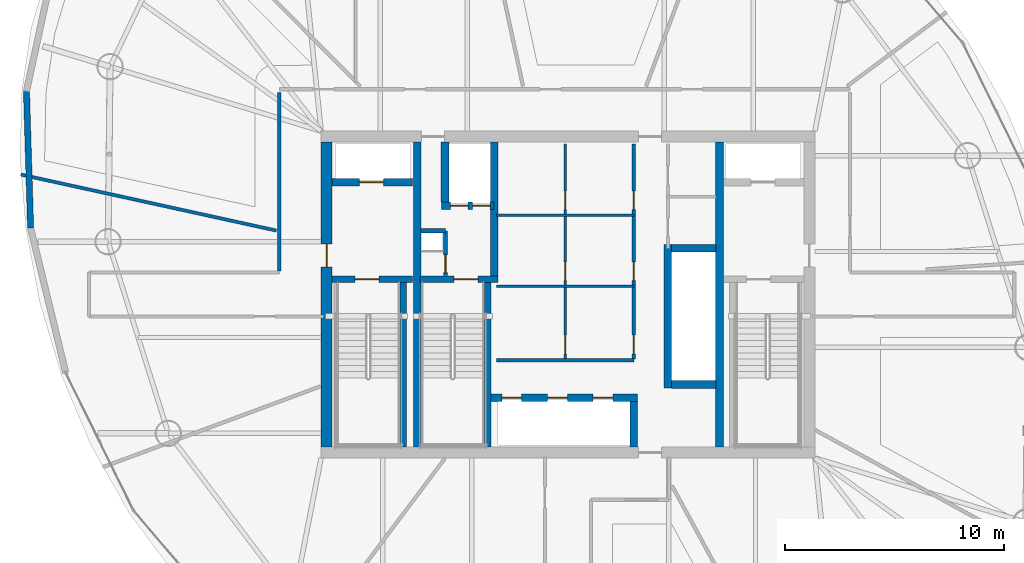
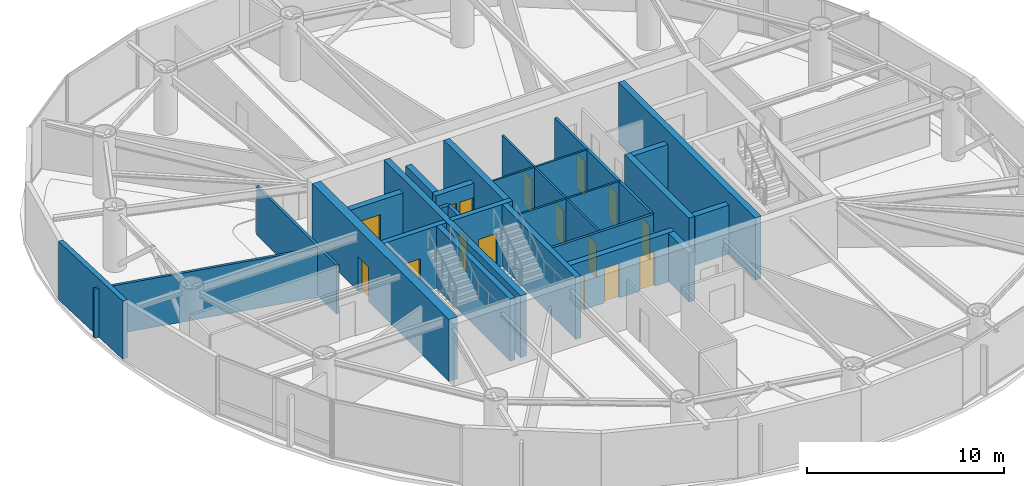
# One storey, part 14 of 19: 26 walls, 16 doors, 16 openings.
"""IFC4 building model written with IfcOpenShell, lengths in metres."""

from ifc_helpers import new_model, si_unit, direction, frame, frame_2d, origin, place, context, subcontext, project, spatial, rectangle, extrude, material, layer, layer_set, type_object, element, fill, save


model = new_model("IFC4")

# Units and contexts
model_context = context("Model", 3, precision=1e-05, world=origin(), true_north=direction((0.0, 1.0)))
body_context = subcontext(model_context, "Body", "Model", "MODEL_VIEW")
ifc_project = project(units=[si_unit("LENGTHUNIT", "METRE"), si_unit("AREAUNIT", "SQUARE_METRE"), si_unit("VOLUMEUNIT", "CUBIC_METRE"), si_unit("PLANEANGLEUNIT", "RADIAN"), si_unit("MASSUNIT", "GRAM", prefix="KILO")], contexts=[model_context])

# Site, building, storey
site_placement = place(None, origin())
site = spatial("IfcSite", under=ifc_project, at=site_placement, CompositionType="ELEMENT")
building_placement = place(site_placement, origin())
building = spatial("IfcBuilding", under=site, at=building_placement, Name="Bramvorn Convention Spire", CompositionType="ELEMENT")
storey_placement = place(building_placement, frame((0.0, 0.0, 198.14990234375)))
storey = spatial("IfcBuildingStorey", under=building, at=storey_placement, Name="L50", CompositionType="ELEMENT", Elevation=198.14990234375)

# Wall, opening, door
ifc_material_1 = material(Name="Concrete C50/60", Category="concrete")
ifc_layer_1 = layer(ifc_material_1, 0.5)
ifc_layer_set_1 = layer_set([ifc_layer_1], Name="Concrete C50/60 - WL-CORE-500")
wall_type_1 = type_object("IfcWallType", Name="WL-CORE-500", PredefinedType="SHEAR", material=ifc_layer_set_1)
wall_1_placement = place(storey_placement, frame((27.0, 19.050048828125, 0.0), z_axis=(0.0, 0.0, 1.0), x_axis=(0.0, 1.0, 0.0)))
wall_1 = element("IfcWall", 1, at=wall_1_placement, inside=storey, type_object=wall_type_1, Name="L50 West RC core shear wall", PredefinedType="SHEAR", context=body_context, shape_type="SweptSolid", body=[
    extrude(rectangle(XDim=13.89990234375, YDim=0.5, at=frame_2d((6.949951171875, 0.0))), origin(), (0.0, 0.0, 1.0), 3.85009765625),
])
opening_1_placement = place(wall_1_placement, frame((8.199951171875, 0.0, 0.0)))
opening_1 = element("IfcOpeningElement", 2, at=opening_1_placement, cuts=wall_1, Name="Opening DL-105", PredefinedType="OPENING", context=body_context, shape_type="SweptSolid", body=[
    extrude(rectangle(XDim=1.050048828125, YDim=2.14990234375, at=frame_2d((0.52490234375, 1.074951171875))), frame((0.0, 0.260009765625, 0.0), z_axis=(0.0, -1.0, 0.0), x_axis=(1.0, 0.0, 0.0)), (0.0, 0.0, 1.0), 0.52001953125),
])
ifc_material_2 = material(Name="Smoke-Sealed Fire Lobby Timber-Core Door", Category="wood")
door_type_1 = type_object("IfcDoorType", Name="DR-LOBBY-1050", OperationType="NOTDEFINED", PredefinedType="DOOR", material=ifc_material_2)
door_1_placement = place(opening_1_placement, origin())
door_1 = element("IfcDoor", 3, at=door_1_placement, inside=storey, type_object=door_type_1, Name="L50 West Firefighting Lobby corridor door", OperationType="SINGLE_SWING_RIGHT", OverallHeight=2.14990234375, OverallWidth=1.050048828125, PredefinedType="DOOR", context=body_context, shape_type="SweptSolid", body=[
    extrude(rectangle(XDim=1.050048828125, YDim=2.14990234375, at=frame_2d((0.52490234375, 1.074951171875))), frame((0.0, 0.02490234375, 0.0), z_axis=(0.0, -1.0, 0.0), x_axis=(1.0, 0.0, 0.0)), (0.0, 0.0, 1.0), 0.050048828125),
])
fill(opening_1, door_1)

# Walls
ifc_layer_2 = layer(ifc_material_1, 0.35009765625)
ifc_layer_set_2 = layer_set([ifc_layer_2], Name="Concrete C50/60 - WL-CORE-INT-350")
wall_type_2 = type_object("IfcWallType", Name="WL-CORE-INT-350", PredefinedType="SHEAR", material=ifc_layer_set_2)
for number, where, z_axis, x_axis, name in (
    (4, (31.1298828125, 19.050048828125, 0.0), (0.0, 0.0, 1.0), (0.0, 1.0, 0.0), "L50 West internal core shear web"),
    (5, (44.89990234375, 19.050048828125, 0.0), (0.0, 0.0, 1.0), (0.0, 1.0, 0.0), "L50 East internal core shear web"),
):
    element("IfcWall", number, at=place(storey_placement, frame(where, z_axis=z_axis, x_axis=x_axis)), inside=storey, type_object=wall_type_2, Name=name, PredefinedType="SHEAR", context=body_context, shape_type="SweptSolid", body=[
        extrude(rectangle(XDim=13.89990234375, YDim=0.35009765625, at=frame_2d((6.949951171875, 0.0))), origin(), (0.0, 0.0, 1.0), 3.85009765625),
    ])

# Wall, opening, door
wall_2_placement = place(storey_placement, frame((27.25, 31.1201171875, 0.0), z_axis=(0.0, 0.0, 1.0), x_axis=(1.0, 0.0, 0.0)))
wall_2 = element("IfcWall", 6, at=wall_2_placement, inside=storey, type_object=wall_type_2, Name="L50 FE1 shaft front wall", PredefinedType="SHEAR", context=body_context, shape_type="SweptSolid", body=[
    extrude(rectangle(XDim=3.669921875, YDim=0.35009765625, at=frame_2d((1.8349609375, 0.0))), origin(), (0.0, 0.0, 1.0), 3.03515625),
])
opening_2_placement = place(wall_2_placement, frame((1.25, 0.0, 0.0)))
opening_2 = element("IfcOpeningElement", 7, at=opening_2_placement, cuts=wall_2, Name="Opening LD-110", PredefinedType="OPENING", context=body_context, shape_type="SweptSolid", body=[
    extrude(rectangle(XDim=1.10009765625, YDim=2.14990234375, at=frame_2d((0.550048828125, 1.074951171875))), frame((0.0, 0.18505859375, 0.0), z_axis=(0.0, -1.0, 0.0), x_axis=(1.0, 0.0, 0.0)), (0.0, 0.0, 1.0), 0.3701171875),
])
ifc_material_3 = material(Name="Firefighting & Service Lift Sliding Landing Door", Category="steel")
door_type_2 = type_object("IfcDoorType", Name="DR-LIFT-LD-1100", OperationType="NOTDEFINED", PredefinedType="DOOR", material=ifc_material_3)
door_2_placement = place(opening_2_placement, origin())
door_2 = element("IfcDoor", 8, at=door_2_placement, inside=storey, type_object=door_type_2, Name="L50 Lift FE1 Sliding Landing Door", OperationType="SLIDING_TO_LEFT", OverallHeight=2.14990234375, OverallWidth=1.10009765625, PredefinedType="DOOR", context=body_context, shape_type="SweptSolid", body=[
    extrude(rectangle(XDim=1.10009765625, YDim=2.14990234375, at=frame_2d((0.550048828125, 1.074951171875))), frame((0.0, 0.02490234375, 0.0), z_axis=(0.0, -1.0, 0.0), x_axis=(1.0, 0.0, 0.0)), (0.0, 0.0, 1.0), 0.050048828125),
])
fill(opening_2, door_2)

# Wall
wall_3_placement = place(storey_placement, frame((34.639892578125, 26.68994140625, 0.0), z_axis=(0.0, 0.0, 1.0), x_axis=(0.0, 1.0, 0.0)))
element("IfcWall", 9, at=wall_3_placement, inside=storey, type_object=wall_type_2, Name="L50 SV east core shaft wall", PredefinedType="SHEAR", context=body_context, shape_type="SweptSolid", body=[
    extrude(rectangle(XDim=6.260009765625, YDim=0.35009765625, at=frame_2d((3.1298828125, 0.0))), origin(), (0.0, 0.0, 1.0), 3.85009765625),
])

# Wall, openings, doors
wall_4_placement = place(storey_placement, frame((32.22998046875, 30.050048828125, 0.0), z_axis=(0.0, 0.0, 1.0), x_axis=(1.0, 0.0, 0.0)))
wall_4 = element("IfcWall", 10, at=wall_4_placement, inside=storey, type_object=wall_type_2, Name="L50 SV1/SV2 shaft front wall", PredefinedType="SHEAR", context=body_context, shape_type="SweptSolid", body=[
    extrude(rectangle(XDim=2.409912109375, YDim=0.35009765625, at=frame_2d((1.205078125, 0.0))), origin(), (0.0, 0.0, 1.0), 3.03515625),
])
opening_3_placement = place(wall_4_placement, frame((0.419921875, 0.0, 0.0)))
opening_3 = element("IfcOpeningElement", 11, at=opening_3_placement, cuts=wall_4, Name="Opening LD-080", PredefinedType="OPENING", context=body_context, shape_type="SweptSolid", body=[
    extrude(rectangle(XDim=0.800048828125, YDim=2.14990234375, at=frame_2d((0.39990234375, 1.074951171875))), frame((0.0, 0.18505859375, 0.0), z_axis=(0.0, -1.0, 0.0), x_axis=(1.0, 0.0, 0.0)), (0.0, 0.0, 1.0), 0.3701171875),
])
opening_4_placement = place(wall_4_placement, frame((1.419921875, 0.0, 0.0)))
opening_4 = element("IfcOpeningElement", 12, at=opening_4_placement, cuts=wall_4, Name="Opening LD-080", PredefinedType="OPENING", context=body_context, shape_type="SweptSolid", body=[
    extrude(rectangle(XDim=0.800048828125, YDim=2.14990234375, at=frame_2d((0.39990234375, 1.074951171875))), frame((0.0, 0.18505859375, 0.0), z_axis=(0.0, -1.0, 0.0), x_axis=(1.0, 0.0, 0.0)), (0.0, 0.0, 1.0), 0.3701171875),
])
ifc_material_4 = material(Name="Service Lift Bi-Parting Landing Door", Category="steel")
door_type_3 = type_object("IfcDoorType", Name="DR-LIFT-LD-800", OperationType="NOTDEFINED", PredefinedType="DOOR", material=ifc_material_4)
door_3_placement = place(opening_3_placement, origin())
door_3 = element("IfcDoor", 13, at=door_3_placement, inside=storey, type_object=door_type_3, Name="L50 Lift SV1 Sliding Landing Door", OperationType="SLIDING_TO_LEFT", OverallHeight=2.14990234375, OverallWidth=0.800048828125, PredefinedType="DOOR", context=body_context, shape_type="SweptSolid", body=[
    extrude(rectangle(XDim=0.800048828125, YDim=2.14990234375, at=frame_2d((0.39990234375, 1.074951171875))), frame((0.0, 0.02490234375, 0.0), z_axis=(0.0, -1.0, 0.0), x_axis=(1.0, 0.0, 0.0)), (0.0, 0.0, 1.0), 0.050048828125),
])
fill(opening_3, door_3)
door_4_placement = place(opening_4_placement, origin())
door_4 = element("IfcDoor", 14, at=door_4_placement, inside=storey, type_object=door_type_3, Name="L50 Lift SV2 Sliding Landing Door", OperationType="SLIDING_TO_LEFT", OverallHeight=2.14990234375, OverallWidth=0.800048828125, PredefinedType="DOOR", context=body_context, shape_type="SweptSolid", body=[
    extrude(rectangle(XDim=0.800048828125, YDim=2.14990234375, at=frame_2d((0.39990234375, 1.074951171875))), frame((0.0, 0.02490234375, 0.0), z_axis=(0.0, -1.0, 0.0), x_axis=(1.0, 0.0, 0.0)), (0.0, 0.0, 1.0), 0.050048828125),
])
fill(opening_4, door_4)

# Walls
wall_5_placement = place(storey_placement, frame((32.39990234375, 30.219970703125, 0.0), z_axis=(0.0, 0.0, 1.0), x_axis=(0.0, 1.0, 0.0)))
element("IfcWall", 15, at=wall_5_placement, inside=storey, type_object=wall_type_2, Name="L50 SV1 west hoistway wall", PredefinedType="SHEAR", context=body_context, shape_type="SweptSolid", body=[
    extrude(rectangle(XDim=2.72998046875, YDim=0.35009765625, at=frame_2d((1.364990234375, 0.0))), origin(), (0.0, 0.0, 1.0), 3.03515625),
])
wall_6_placement = place(storey_placement, frame((42.550048828125, 21.72998046875, 0.0), z_axis=(0.0, 0.0, 1.0), x_axis=(0.0, 1.0, 0.0)))
element("IfcWall", 16, at=wall_6_placement, inside=storey, type_object=wall_type_2, Name="L50 High-rise lift bank west wall", PredefinedType="SHEAR", context=body_context, shape_type="SweptSolid", body=[
    extrude(rectangle(XDim=6.5400390625, YDim=0.35009765625, at=frame_2d((3.27001953125, 0.0))), origin(), (0.0, 0.0, 1.0), 3.03515625),
])
for number, where, z_axis, x_axis, name in (
    (17, (42.719970703125, 21.89990234375, 0.0), (0.0, 0.0, 1.0), (1.0, 0.0, 0.0), "L50 High-rise lift bank south wall"),
    (18, (42.719970703125, 28.10009765625, 0.0), (0.0, 0.0, 1.0), (1.0, 0.0, 0.0), "L50 High-rise lift bank north wall"),
):
    element("IfcWall", number, at=place(storey_placement, frame(where, z_axis=z_axis, x_axis=x_axis)), inside=storey, type_object=wall_type_2, Name=name, PredefinedType="SHEAR", context=body_context, shape_type="SweptSolid", body=[
        extrude(rectangle(XDim=2.030029296875, YDim=0.35009765625, at=frame_2d((1.01513671875, 0.0))), origin(), (0.0, 0.0, 1.0), 3.03515625),
    ])

# Wall, openings, doors
wall_7_placement = place(storey_placement, frame((34.489990234375, 21.300048828125, 0.0), z_axis=(0.0, 0.0, 1.0), x_axis=(1.0, 0.0, 0.0)))
wall_7 = element("IfcWall", 19, at=wall_7_placement, inside=storey, type_object=wall_type_2, Name="L50 Mid-rise bank north landing wall", PredefinedType="SHEAR", context=body_context, shape_type="SweptSolid", body=[
    extrude(rectangle(XDim=6.679931640625, YDim=0.35009765625, at=frame_2d((3.33984375, 0.0))), origin(), (0.0, 0.0, 1.0), 3.03515625),
])
opening_5_placement = place(wall_7_placement, frame((0.5, 0.0, 0.0)))
opening_5 = element("IfcOpeningElement", 20, at=opening_5_placement, cuts=wall_7, Name="Opening LD-090", PredefinedType="OPENING", context=body_context, shape_type="SweptSolid", body=[
    extrude(rectangle(XDim=0.89990234375, YDim=2.14990234375, at=frame_2d((0.449951171875, 1.074951171875))), frame((0.0, 0.18505859375, 0.0), z_axis=(0.0, -1.0, 0.0), x_axis=(1.0, 0.0, 0.0)), (0.0, 0.0, 1.0), 0.3701171875),
])
opening_6_placement = place(wall_7_placement, frame((2.580078125, 0.0, 0.0)))
opening_6 = element("IfcOpeningElement", 21, at=opening_6_placement, cuts=wall_7, Name="Opening LD-090", PredefinedType="OPENING", context=body_context, shape_type="SweptSolid", body=[
    extrude(rectangle(XDim=0.89990234375, YDim=2.14990234375, at=frame_2d((0.449951171875, 1.074951171875))), frame((0.0, 0.18505859375, 0.0), z_axis=(0.0, -1.0, 0.0), x_axis=(1.0, 0.0, 0.0)), (0.0, 0.0, 1.0), 0.3701171875),
])
opening_7_placement = place(wall_7_placement, frame((4.659912109375, 0.0, 0.0)))
opening_7 = element("IfcOpeningElement", 22, at=opening_7_placement, cuts=wall_7, Name="Opening LD-090", PredefinedType="OPENING", context=body_context, shape_type="SweptSolid", body=[
    extrude(rectangle(XDim=0.89990234375, YDim=2.14990234375, at=frame_2d((0.449951171875, 1.074951171875))), frame((0.0, 0.18505859375, 0.0), z_axis=(0.0, -1.0, 0.0), x_axis=(1.0, 0.0, 0.0)), (0.0, 0.0, 1.0), 0.3701171875),
])
ifc_material_5 = material(Name="Bi-Parting Fire-Rated Lift Landing Door", Category="steel")
door_type_4 = type_object("IfcDoorType", Name="DR-LIFT-LD-900", OperationType="NOTDEFINED", PredefinedType="DOOR", material=ifc_material_5)
door_5_placement = place(opening_5_placement, origin())
door_5 = element("IfcDoor", 23, at=door_5_placement, inside=storey, type_object=door_type_4, Name="L50 Lift PM1 Sliding Landing Door", OperationType="SLIDING_TO_LEFT", OverallHeight=2.14990234375, OverallWidth=0.89990234375, PredefinedType="DOOR", context=body_context, shape_type="SweptSolid", body=[
    extrude(rectangle(XDim=0.89990234375, YDim=2.14990234375, at=frame_2d((0.449951171875, 1.074951171875))), frame((0.0, 0.02490234375, 0.0), z_axis=(0.0, -1.0, 0.0), x_axis=(1.0, 0.0, 0.0)), (0.0, 0.0, 1.0), 0.050048828125),
])
fill(opening_5, door_5)
door_6_placement = place(opening_6_placement, origin())
door_6 = element("IfcDoor", 24, at=door_6_placement, inside=storey, type_object=door_type_4, Name="L50 Lift PM2 Sliding Landing Door", OperationType="SLIDING_TO_LEFT", OverallHeight=2.14990234375, OverallWidth=0.89990234375, PredefinedType="DOOR", context=body_context, shape_type="SweptSolid", body=[
    extrude(rectangle(XDim=0.89990234375, YDim=2.14990234375, at=frame_2d((0.449951171875, 1.074951171875))), frame((0.0, 0.02490234375, 0.0), z_axis=(0.0, -1.0, 0.0), x_axis=(1.0, 0.0, 0.0)), (0.0, 0.0, 1.0), 0.050048828125),
])
fill(opening_6, door_6)
door_7_placement = place(opening_7_placement, origin())
door_7 = element("IfcDoor", 25, at=door_7_placement, inside=storey, type_object=door_type_4, Name="L50 Lift PM3 Sliding Landing Door", OperationType="SLIDING_TO_LEFT", OverallHeight=2.14990234375, OverallWidth=0.89990234375, PredefinedType="DOOR", context=body_context, shape_type="SweptSolid", body=[
    extrude(rectangle(XDim=0.89990234375, YDim=2.14990234375, at=frame_2d((0.449951171875, 1.074951171875))), frame((0.0, 0.02490234375, 0.0), z_axis=(0.0, -1.0, 0.0), x_axis=(1.0, 0.0, 0.0)), (0.0, 0.0, 1.0), 0.050048828125),
])
fill(opening_7, door_7)

# Walls
wall_8_placement = place(storey_placement, frame((41.0, 19.050048828125, 0.0), z_axis=(0.0, 0.0, 1.0), x_axis=(0.0, 1.0, 0.0)))
element("IfcWall", 26, at=wall_8_placement, inside=storey, type_object=wall_type_2, Name="L50 Mid-rise bank east cheek wall", PredefinedType="SHEAR", context=body_context, shape_type="SweptSolid", body=[
    extrude(rectangle(XDim=2.079833984375, YDim=0.35009765625, at=frame_2d((1.0400390625, 0.0))), origin(), (0.0, 0.0, 1.0), 3.03515625),
])
ifc_material_6 = material(Name="Precast Concrete C40/50 with Bronze Terracotta Rainscreen", Category="masonry")
ifc_layer_3 = layer(ifc_material_6, 0.300048828125)
ifc_layer_set_3 = layer_set([ifc_layer_3], Name="Precast Concrete C40/50 with Bronze Terracotta Rainscreen - WL-EXT-BRONZE-300")
wall_type_3 = type_object("IfcWallType", Name="WL-EXT-BRONZE-300", PredefinedType="SOLIDWALL", material=ifc_layer_set_3)
wall_9_placement = place(storey_placement, frame((13.513916015625, 29.036376953125, 0.0), z_axis=(0.0, 0.0, 1.0), x_axis=(-0.030035086117, 0.999548845031, 0.0)))
element("IfcWall", 27, at=wall_9_placement, inside=storey, type_object=wall_type_3, Name="L50 expressed bronze Gothic lancet pier wall 15", PredefinedType="SOLIDWALL", context=body_context, shape_type="SweptSolid", body=[
    extrude(rectangle(XDim=6.2265625, YDim=0.280029296875, at=frame_2d((3.11328125, 0.0))), origin(), (0.0, 0.0, 1.0), 3.6201171875),
])

# Wall, openings, doors
ifc_material_7 = material(Name="Lightweight En-Suite & Wet-Wall Partition", Category="gypsum")
ifc_layer_4 = layer(ifc_material_7, 0.110107421875)
ifc_layer_set_4 = layer_set([ifc_layer_4], Name="Lightweight En-Suite & Wet-Wall Partition - WL-PART-110")
wall_type_4 = type_object("IfcWallType", Name="WL-PART-110", PredefinedType="PARTITIONING", material=ifc_layer_set_4)
wall_10_placement = place(storey_placement, frame((37.8798828125, 23.050048828125, 0.0), z_axis=(0.0, 0.0, 1.0), x_axis=(0.0, 1.0, 0.0)))
wall_10 = element("IfcWall", 28, at=wall_10_placement, inside=storey, type_object=wall_type_4, Name="L50 KB center wall", PredefinedType="PARTITIONING", context=body_context, shape_type="SweptSolid", body=[
    extrude(rectangle(XDim=9.800048828125, YDim=0.110107421875, at=frame_2d((4.89990234375, 0.0))), origin(), (0.0, 0.0, 1.0), 3.03515625),
])
opening_8_placement = place(wall_10_placement, frame((0.25, 0.0, 0.0)))
opening_8 = element("IfcOpeningElement", 29, at=opening_8_placement, cuts=wall_10, Name="Opening DC-085", PredefinedType="OPENING", context=body_context, shape_type="SweptSolid", body=[
    extrude(rectangle(XDim=0.85009765625, YDim=2.10009765625, at=frame_2d((0.425048828125, 1.050048828125))), frame((0.0, 0.06494140625, 0.0), z_axis=(0.0, -1.0, 0.0), x_axis=(1.0, 0.0, 0.0)), (0.0, 0.0, 1.0), 0.130126953125),
])
opening_9_placement = place(wall_10_placement, frame((3.58203125, 0.0, 0.0)))
opening_9 = element("IfcOpeningElement", 30, at=opening_9_placement, cuts=wall_10, Name="Opening DC-085", PredefinedType="OPENING", context=body_context, shape_type="SweptSolid", body=[
    extrude(rectangle(XDim=0.85009765625, YDim=2.10009765625, at=frame_2d((0.425048828125, 1.050048828125))), frame((0.0, 0.06494140625, 0.0), z_axis=(0.0, -1.0, 0.0), x_axis=(1.0, 0.0, 0.0)), (0.0, 0.0, 1.0), 0.130126953125),
])
opening_10_placement = place(wall_10_placement, frame((6.81591796875, 0.0, 0.0)))
opening_10 = element("IfcOpeningElement", 31, at=opening_10_placement, cuts=wall_10, Name="Opening DC-085", PredefinedType="OPENING", context=body_context, shape_type="SweptSolid", body=[
    extrude(rectangle(XDim=0.85009765625, YDim=2.10009765625, at=frame_2d((0.425048828125, 1.050048828125))), frame((0.0, 0.06494140625, 0.0), z_axis=(0.0, -1.0, 0.0), x_axis=(1.0, 0.0, 0.0)), (0.0, 0.0, 1.0), 0.130126953125),
])
ifc_material_8 = material(Name="Fire-Rated Core Washroom & IDF Door", Category="wood")
door_type_5 = type_object("IfcDoorType", Name="DR-CORE-850", OperationType="NOTDEFINED", PredefinedType="DOOR", material=ifc_material_8)
door_8_placement = place(opening_8_placement, origin())
door_8 = element("IfcDoor", 32, at=door_8_placement, inside=storey, type_object=door_type_5, Name="L50 Core Linen Store door", OperationType="SINGLE_SWING_LEFT", OverallHeight=2.10009765625, OverallWidth=0.85009765625, PredefinedType="DOOR", context=body_context, shape_type="SweptSolid", body=[
    extrude(rectangle(XDim=0.85009765625, YDim=2.10009765625, at=frame_2d((0.425048828125, 1.050048828125))), frame((0.0, 0.02490234375, 0.0), z_axis=(0.0, -1.0, 0.0), x_axis=(1.0, 0.0, 0.0)), (0.0, 0.0, 1.0), 0.050048828125),
])
fill(opening_8, door_8)
door_9_placement = place(opening_9_placement, origin())
door_9 = element("IfcDoor", 33, at=door_9_placement, inside=storey, type_object=door_type_5, Name="L50 Core Metering Closet door", OperationType="SINGLE_SWING_LEFT", OverallHeight=2.10009765625, OverallWidth=0.85009765625, PredefinedType="DOOR", context=body_context, shape_type="SweptSolid", body=[
    extrude(rectangle(XDim=0.85009765625, YDim=2.10009765625, at=frame_2d((0.425048828125, 1.050048828125))), frame((0.0, 0.02490234375, 0.0), z_axis=(0.0, -1.0, 0.0), x_axis=(1.0, 0.0, 0.0)), (0.0, 0.0, 1.0), 0.050048828125),
])
fill(opening_9, door_9)
door_10_placement = place(opening_10_placement, origin())
door_10 = element("IfcDoor", 34, at=door_10_placement, inside=storey, type_object=door_type_5, Name="L50 Core Janitor Supply door", OperationType="SINGLE_SWING_LEFT", OverallHeight=2.10009765625, OverallWidth=0.85009765625, PredefinedType="DOOR", context=body_context, shape_type="SweptSolid", body=[
    extrude(rectangle(XDim=0.85009765625, YDim=2.10009765625, at=frame_2d((0.425048828125, 1.050048828125))), frame((0.0, 0.02490234375, 0.0), z_axis=(0.0, -1.0, 0.0), x_axis=(1.0, 0.0, 0.0)), (0.0, 0.0, 1.0), 0.050048828125),
])
fill(opening_10, door_10)

# Walls
for number, where, z_axis, x_axis, name in (
    (35, (34.75, 26.382080078125, 0.0), (0.0, 0.0, 1.0), (1.0, 0.0, 0.0), "L50 KB divider 1"),
    (36, (34.75, 29.615966796875, 0.0), (0.0, 0.0, 1.0), (1.0, 0.0, 0.0), "L50 KB divider 2"),
):
    element("IfcWall", number, at=place(storey_placement, frame(where, z_axis=z_axis, x_axis=x_axis)), inside=storey, type_object=wall_type_4, Name=name, PredefinedType="PARTITIONING", context=body_context, shape_type="SweptSolid", body=[
        extrude(rectangle(XDim=6.25, YDim=0.110107421875, at=frame_2d((3.125, 0.0))), origin(), (0.0, 0.0, 1.0), 3.03515625),
    ])
ifc_material_9 = material(Name="Acoustic Metal-Stud Tenant/Corridor Partition", Category="gypsum")
ifc_layer_5 = layer(ifc_material_9, 0.14990234375)
ifc_layer_set_5 = layer_set([ifc_layer_5], Name="Acoustic Metal-Stud Tenant/Corridor Partition - WL-PART-150")
wall_type_5 = type_object("IfcWallType", Name="WL-PART-150", PredefinedType="PARTITIONING", material=ifc_layer_set_5)
wall_11_placement = place(storey_placement, frame((34.75, 23.0, 0.0), z_axis=(0.0, 0.0, 1.0), x_axis=(1.0, 0.0, 0.0)))
element("IfcWall", 37, at=wall_11_placement, inside=storey, type_object=wall_type_5, Name="L50 Mid-rise lift vestibule north wall", PredefinedType="PARTITIONING", context=body_context, shape_type="SweptSolid", body=[
    extrude(rectangle(XDim=6.25, YDim=0.14990234375, at=frame_2d((3.125, 0.0))), origin(), (0.0, 0.0, 1.0), 3.03515625),
])

# Wall, openings, doors
wall_12_placement = place(storey_placement, frame((41.0, 23.050048828125, 0.0), z_axis=(0.0, 0.0, 1.0), x_axis=(0.0, 1.0, 0.0)))
wall_12 = element("IfcWall", 38, at=wall_12_placement, inside=storey, type_object=wall_type_5, Name="L50 KB east core wall", PredefinedType="PARTITIONING", context=body_context, shape_type="SweptSolid", body=[
    extrude(rectangle(XDim=9.800048828125, YDim=0.14990234375, at=frame_2d((4.89990234375, 0.0))), origin(), (0.0, 0.0, 1.0), 3.03515625),
])
opening_11_placement = place(wall_12_placement, frame((0.25, 0.0, 0.0)))
opening_11 = element("IfcOpeningElement", 39, at=opening_11_placement, cuts=wall_12, Name="Opening DC-085", PredefinedType="OPENING", context=body_context, shape_type="SweptSolid", body=[
    extrude(rectangle(XDim=0.85009765625, YDim=2.10009765625, at=frame_2d((0.425048828125, 1.050048828125))), frame((0.0, 0.0849609375, 0.0), z_axis=(0.0, -1.0, 0.0), x_axis=(1.0, 0.0, 0.0)), (0.0, 0.0, 1.0), 0.169921875),
])
opening_12_placement = place(wall_12_placement, frame((3.58203125, 0.0, 0.0)))
opening_12 = element("IfcOpeningElement", 40, at=opening_12_placement, cuts=wall_12, Name="Opening DC-085", PredefinedType="OPENING", context=body_context, shape_type="SweptSolid", body=[
    extrude(rectangle(XDim=0.85009765625, YDim=2.10009765625, at=frame_2d((0.425048828125, 1.050048828125))), frame((0.0, 0.0849609375, 0.0), z_axis=(0.0, -1.0, 0.0), x_axis=(1.0, 0.0, 0.0)), (0.0, 0.0, 1.0), 0.169921875),
])
opening_13_placement = place(wall_12_placement, frame((6.81591796875, 0.0, 0.0)))
opening_13 = element("IfcOpeningElement", 41, at=opening_13_placement, cuts=wall_12, Name="Opening DC-085", PredefinedType="OPENING", context=body_context, shape_type="SweptSolid", body=[
    extrude(rectangle(XDim=0.85009765625, YDim=2.10009765625, at=frame_2d((0.425048828125, 1.050048828125))), frame((0.0, 0.0849609375, 0.0), z_axis=(0.0, -1.0, 0.0), x_axis=(1.0, 0.0, 0.0)), (0.0, 0.0, 1.0), 0.169921875),
])
door_11_placement = place(opening_11_placement, origin())
door_11 = element("IfcDoor", 42, at=door_11_placement, inside=storey, type_object=door_type_5, Name="L50 Accessible Core Restroom door", OperationType="SINGLE_SWING_LEFT", OverallHeight=2.10009765625, OverallWidth=0.85009765625, PredefinedType="DOOR", context=body_context, shape_type="SweptSolid", body=[
    extrude(rectangle(XDim=0.85009765625, YDim=2.10009765625, at=frame_2d((0.425048828125, 1.050048828125))), frame((0.0, 0.02490234375, 0.0), z_axis=(0.0, -1.0, 0.0), x_axis=(1.0, 0.0, 0.0)), (0.0, 0.0, 1.0), 0.050048828125),
])
fill(opening_11, door_11)
door_12_placement = place(opening_12_placement, origin())
door_12 = element("IfcDoor", 43, at=door_12_placement, inside=storey, type_object=door_type_5, Name="L50 Tenant Pantry & Copy Centre door", OperationType="SINGLE_SWING_LEFT", OverallHeight=2.10009765625, OverallWidth=0.85009765625, PredefinedType="DOOR", context=body_context, shape_type="SweptSolid", body=[
    extrude(rectangle(XDim=0.85009765625, YDim=2.10009765625, at=frame_2d((0.425048828125, 1.050048828125))), frame((0.0, 0.02490234375, 0.0), z_axis=(0.0, -1.0, 0.0), x_axis=(1.0, 0.0, 0.0)), (0.0, 0.0, 1.0), 0.050048828125),
])
fill(opening_12, door_12)
door_13_placement = place(opening_13_placement, origin())
door_13 = element("IfcDoor", 44, at=door_13_placement, inside=storey, type_object=door_type_5, Name="L50 Gender-Neutral Core WC door", OperationType="SINGLE_SWING_LEFT", OverallHeight=2.10009765625, OverallWidth=0.85009765625, PredefinedType="DOOR", context=body_context, shape_type="SweptSolid", body=[
    extrude(rectangle(XDim=0.85009765625, YDim=2.10009765625, at=frame_2d((0.425048828125, 1.050048828125))), frame((0.0, 0.02490234375, 0.0), z_axis=(0.0, -1.0, 0.0), x_axis=(1.0, 0.0, 0.0)), (0.0, 0.0, 1.0), 0.050048828125),
])
fill(opening_13, door_13)

# Walls
wall_13_placement = place(storey_placement, frame((24.85009765625, 27.080078125, 0.0), z_axis=(0.0, 0.0, 1.0), x_axis=(0.0, 1.0, 0.0)))
element("IfcWall", 45, at=wall_13_placement, inside=storey, type_object=wall_type_5, Name="L50 NW gallery cheek", PredefinedType="PARTITIONING", context=body_context, shape_type="SweptSolid", body=[
    extrude(rectangle(XDim=8.119873046875, YDim=0.14990234375, at=frame_2d((4.06005859375, 0.0))), origin(), (0.0, 0.0, 1.0), 3.03515625),
])
wall_14_placement = place(storey_placement, frame((24.7099609375, 28.9130859375, 0.0), z_axis=(0.0, 0.0, 1.0), x_axis=(-0.976806128217, 0.21412563573, 0.0)))
element("IfcWall", 46, at=wall_14_placement, inside=storey, type_object=wall_type_5, Name="L50 Tenant suite partition 6", PredefinedType="PARTITIONING", context=body_context, shape_type="SweptSolid", body=[
    extrude(rectangle(XDim=11.92041015625, YDim=0.14990234375, at=frame_2d((5.960205078125, 0.0))), origin(), (0.0, 0.0, 1.0), 3.03515625),
])

# Wall, opening, door
ifc_material_10 = material(Name="Gypsum Shaftwall & Rockwool Core Partition", Category="gypsum")
ifc_layer_6 = layer(ifc_material_10, 0.199951171875)
ifc_layer_set_6 = layer_set([ifc_layer_6], Name="Gypsum Shaftwall & Rockwool Core Partition - WL-PART-200-FR")
wall_type_6 = type_object("IfcWallType", Name="WL-PART-200-FR", PredefinedType="PARTITIONING", material=ifc_layer_set_6)
wall_15_placement = place(storey_placement, frame((32.419921875, 26.860107421875, 0.0), z_axis=(0.0, 0.0, 1.0), x_axis=(0.0, 1.0, 0.0)))
wall_15 = element("IfcWall", 47, at=wall_15_placement, inside=storey, type_object=wall_type_6, Name="L50 Telecom riser east wall", PredefinedType="PARTITIONING", context=body_context, shape_type="SweptSolid", body=[
    extrude(rectangle(XDim=2.039794921875, YDim=0.199951171875, at=frame_2d((1.02001953125, 0.0))), origin(), (0.0, 0.0, 1.0), 3.03515625),
])
opening_14_placement = place(wall_15_placement, frame((0.139892578125, 0.0, 0.0)))
opening_14 = element("IfcOpeningElement", 48, at=opening_14_placement, cuts=wall_15, Name="Opening DR-080", PredefinedType="OPENING", context=body_context, shape_type="SweptSolid", body=[
    extrude(rectangle(XDim=0.800048828125, YDim=2.050048828125, at=frame_2d((0.39990234375, 1.02490234375))), frame((0.0, 0.10986328125, 0.0), z_axis=(0.0, -1.0, 0.0), x_axis=(1.0, 0.0, 0.0)), (0.0, 0.0, 1.0), 0.219970703125),
])
ifc_material_11 = material(Name="Flush Steel Riser Access Door", Category="steel")
door_type_6 = type_object("IfcDoorType", Name="DR-RISER-800", OperationType="NOTDEFINED", PredefinedType="DOOR", material=ifc_material_11)
door_14_placement = place(opening_14_placement, origin())
door_14 = element("IfcDoor", 49, at=door_14_placement, inside=storey, type_object=door_type_6, Name="L50 Telecom riser access door", OperationType="SINGLE_SWING_RIGHT", OverallHeight=2.050048828125, OverallWidth=0.800048828125, PredefinedType="DOOR", context=body_context, shape_type="SweptSolid", body=[
    extrude(rectangle(XDim=0.800048828125, YDim=2.050048828125, at=frame_2d((0.39990234375, 1.02490234375))), frame((0.0, 0.02490234375, 0.0), z_axis=(0.0, -1.0, 0.0), x_axis=(1.0, 0.0, 0.0)), (0.0, 0.0, 1.0), 0.050048828125),
])
fill(opening_14, door_14)

# Wall
wall_16_placement = place(storey_placement, frame((31.300048828125, 28.89990234375, 0.0), z_axis=(0.0, 0.0, 1.0), x_axis=(1.0, 0.0, 0.0)))
element("IfcWall", 50, at=wall_16_placement, inside=storey, type_object=wall_type_6, Name="L50 Telecom riser north wall", PredefinedType="PARTITIONING", context=body_context, shape_type="SweptSolid", body=[
    extrude(rectangle(XDim=1.119873046875, YDim=0.199951171875, at=frame_2d((0.56005859375, 0.0))), origin(), (0.0, 0.0, 1.0), 3.03515625),
])

# Wall, opening, door
ifc_layer_7 = layer(ifc_material_1, 0.300048828125)
ifc_layer_set_7 = layer_set([ifc_layer_7], Name="Concrete C50/60 - WL-POD-STAIR-300")
wall_type_7 = type_object("IfcWallType", Name="WL-POD-STAIR-300", PredefinedType="SHEAR", material=ifc_layer_set_7)
wall_17_placement = place(storey_placement, frame((27.25, 26.68994140625, 0.0), z_axis=(0.0, 0.0, 1.0), x_axis=(1.0, 0.0, 0.0)))
wall_17 = element("IfcWall", 51, at=wall_17_placement, inside=storey, type_object=wall_type_7, Name="L50 ST1 north fire wall", PredefinedType="SHEAR", context=body_context, shape_type="SweptSolid", body=[
    extrude(rectangle(XDim=3.669921875, YDim=0.300048828125, at=frame_2d((1.8349609375, 0.0))), origin(), (0.0, 0.0, 1.0), 3.85009765625),
])
opening_15_placement = place(wall_17_placement, frame((1.050048828125, 0.0, 0.0)))
opening_15 = element("IfcOpeningElement", 52, at=opening_15_placement, cuts=wall_17, Name="Opening DS-110", PredefinedType="OPENING", context=body_context, shape_type="SweptSolid", body=[
    extrude(rectangle(XDim=1.10009765625, YDim=2.14990234375, at=frame_2d((0.550048828125, 1.074951171875))), frame((0.0, 0.159912109375, 0.0), z_axis=(0.0, -1.0, 0.0), x_axis=(1.0, 0.0, 0.0)), (0.0, 0.0, 1.0), 0.320068359375),
])
ifc_material_12 = material(Name="Fire-Rated Hollow Steel Stairwell Door", Category="steel")
door_type_7 = type_object("IfcDoorType", Name="DR-STAIR-1100", OperationType="NOTDEFINED", PredefinedType="DOOR", material=ifc_material_12)
door_15_placement = place(opening_15_placement, origin())
door_15 = element("IfcDoor", 53, at=door_15_placement, inside=storey, type_object=door_type_7, Name="L50 Stair ST1 fire door", OperationType="SINGLE_SWING_LEFT", OverallHeight=2.14990234375, OverallWidth=1.10009765625, PredefinedType="DOOR", context=body_context, shape_type="SweptSolid", body=[
    extrude(rectangle(XDim=1.10009765625, YDim=2.14990234375, at=frame_2d((0.550048828125, 1.074951171875))), frame((0.0, 0.02490234375, 0.0), z_axis=(0.0, -1.0, 0.0), x_axis=(1.0, 0.0, 0.0)), (0.0, 0.0, 1.0), 0.050048828125),
])
fill(opening_15, door_15)

# Walls
for number, where, z_axis, x_axis, name in (
    (54, (30.489990234375, 19.050048828125, 0.0), (0.0, 0.0, 1.0), (0.0, 1.0, 0.0), "L50 ST1 east bearing wall"),
    (55, (34.340087890625, 19.050048828125, 0.0), (0.0, 0.0, 1.0), (0.0, 1.0, 0.0), "L50 ST3 east bearing wall"),
):
    element("IfcWall", number, at=place(storey_placement, frame(where, z_axis=z_axis, x_axis=x_axis)), inside=storey, type_object=wall_type_7, Name=name, PredefinedType="SHEAR", context=body_context, shape_type="SweptSolid", body=[
        extrude(rectangle(XDim=7.5, YDim=0.300048828125, at=frame_2d((3.75, 0.0))), origin(), (0.0, 0.0, 1.0), 3.85009765625),
    ])

# Wall, opening, door
wall_18_placement = place(storey_placement, frame((31.25, 26.68994140625, 0.0), z_axis=(0.0, 0.0, 1.0), x_axis=(1.0, 0.0, 0.0)))
wall_18 = element("IfcWall", 56, at=wall_18_placement, inside=storey, type_object=wall_type_7, Name="L50 ST3 north lobby wall", PredefinedType="SHEAR", context=body_context, shape_type="SweptSolid", body=[
    extrude(rectangle(XDim=3.56005859375, YDim=0.300048828125, at=frame_2d((1.780029296875, 0.0))), origin(), (0.0, 0.0, 1.0), 3.85009765625),
])
opening_16_placement = place(wall_18_placement, frame((1.550048828125, 0.0, 0.0)))
opening_16 = element("IfcOpeningElement", 57, at=opening_16_placement, cuts=wall_18, Name="Opening DS-110", PredefinedType="OPENING", context=body_context, shape_type="SweptSolid", body=[
    extrude(rectangle(XDim=1.10009765625, YDim=2.14990234375, at=frame_2d((0.550048828125, 1.074951171875))), frame((0.0, 0.159912109375, 0.0), z_axis=(0.0, -1.0, 0.0), x_axis=(1.0, 0.0, 0.0)), (0.0, 0.0, 1.0), 0.320068359375),
])
door_16_placement = place(opening_16_placement, origin())
door_16 = element("IfcDoor", 58, at=door_16_placement, inside=storey, type_object=door_type_7, Name="L50 Stair ST3 fire door", OperationType="SINGLE_SWING_LEFT", OverallHeight=2.14990234375, OverallWidth=1.10009765625, PredefinedType="DOOR", context=body_context, shape_type="SweptSolid", body=[
    extrude(rectangle(XDim=1.10009765625, YDim=2.14990234375, at=frame_2d((0.550048828125, 1.074951171875))), frame((0.0, 0.02490234375, 0.0), z_axis=(0.0, -1.0, 0.0), x_axis=(1.0, 0.0, 0.0)), (0.0, 0.0, 1.0), 0.050048828125),
])
fill(opening_16, door_16)

save(model, "model.ifc")
